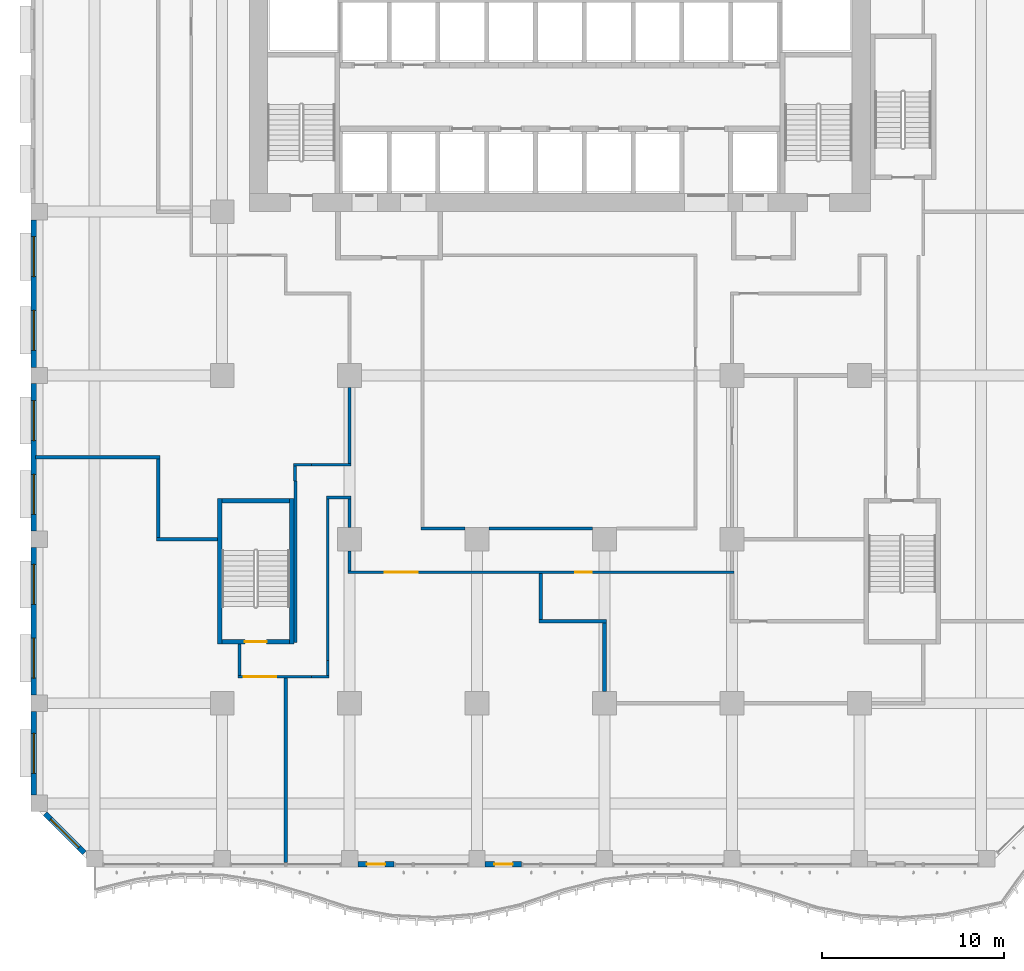
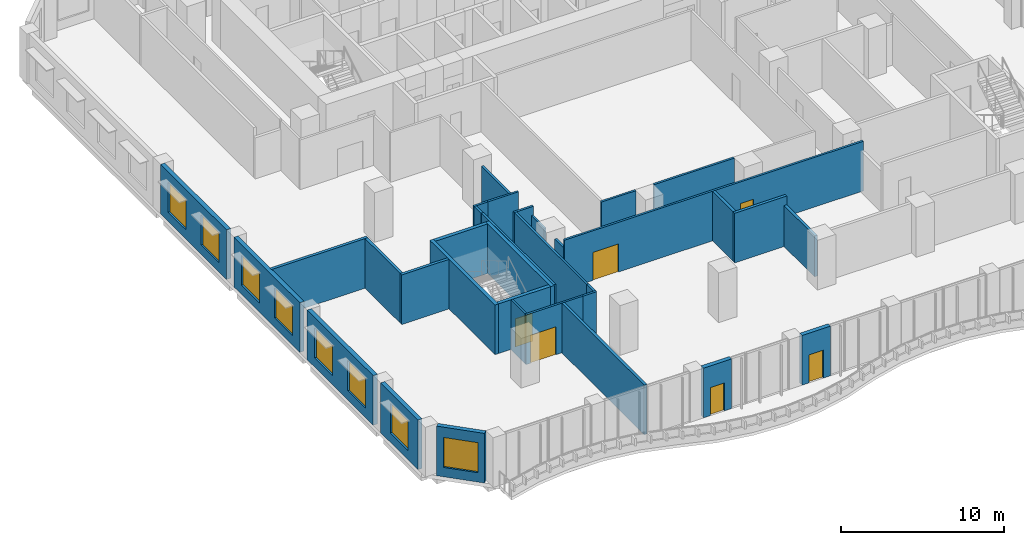
# One storey, part 10 of 24: 34 walls, 8 windows, 6 doors, 14 openings.
"""IFC4 building model written with IfcOpenShell, lengths in metres."""

from ifc_helpers import new_model, si_unit, direction, frame, frame_2d, origin, place, context, subcontext, project, spatial, rectangle, extrude, source, transform, mapped, material, layer, layer_set, type_object, element, fill, save


model = new_model("IFC4")

# Units and contexts
model_context = context("Model", 3, precision=1e-05, world=origin(), true_north=direction((0.0, 1.0)))
body_context = subcontext(model_context, "Body", "Model", "MODEL_VIEW")
ifc_project = project(units=[si_unit("LENGTHUNIT", "METRE"), si_unit("AREAUNIT", "SQUARE_METRE"), si_unit("VOLUMEUNIT", "CUBIC_METRE"), si_unit("PLANEANGLEUNIT", "RADIAN"), si_unit("MASSUNIT", "GRAM", prefix="KILO")], contexts=[model_context])

# Site, building, storey
site_placement = place(None, origin())
site = spatial("IfcSite", under=ifc_project, at=site_placement, CompositionType="ELEMENT")
building_placement = place(site_placement, origin())
building = spatial("IfcBuilding", under=site, at=building_placement, Name="Kilnfold Tower and Market Hall", CompositionType="ELEMENT")
storey_placement = place(building_placement, frame((0.0, 0.0, 35.0)))
storey = spatial("IfcBuildingStorey", under=building, at=storey_placement, Name="L07", CompositionType="ELEMENT", Elevation=35.0)

# Walls
ifc_material_1 = material(Name="Gypsum board on steel studs", Category="steel")
ifc_layer_1 = layer(ifc_material_1, 0.14990234375)
ifc_layer_set_1 = layer_set([ifc_layer_1], Name="Gypsum board on steel studs")
wall_type_1 = type_object("IfcWallType", Name="WALL CORRIDOR 150", PredefinedType="PARTITIONING", material=ifc_layer_set_1)
wall_1_placement = place(storey_placement, frame((-12.597900390625, -5.89794921875, 0.0), z_axis=(0.0, 0.0, 1.0), x_axis=(-1.0, 0.0, 0.0)))
element("IfcWall", 1, at=wall_1_placement, inside=storey, type_object=wall_type_1, Name="Partition LY07.1", PredefinedType="PARTITIONING", context=body_context, shape_type="SweptSolid", body=[
    extrude(rectangle(XDim=0.97900390625, YDim=0.14990234375, at=frame_2d((0.489501953125, 0.0))), origin(), (0.0, 0.0, 1.0), 3.719970703125),
])
wall_2_placement = place(storey_placement, frame((-10.425048828125, -5.89990234375, 0.0), z_axis=(0.0, 0.0, 1.0), x_axis=(-1.0, 0.0, 0.0)))
element("IfcWall", 2, at=wall_2_placement, inside=storey, type_object=wall_type_1, Name="Partition LY07.2", PredefinedType="PARTITIONING", context=body_context, shape_type="SweptSolid", body=[
    extrude(rectangle(XDim=2.1728515625, YDim=0.14990234375, at=frame_2d((1.08642578125, 0.0))), origin(), (0.0, 0.0, 1.0), 3.719970703125),
])
wall_3_placement = place(storey_placement, frame((-10.5, -5.824951171875, 0.0), z_axis=(0.0, 0.0, 1.0), x_axis=(0.0, 1.0, 0.0)))
element("IfcWall", 3, at=wall_3_placement, inside=storey, type_object=wall_type_1, Name="Partition LY07.3", PredefinedType="PARTITIONING", context=body_context, shape_type="SweptSolid", body=[
    extrude(rectangle(XDim=4.175048828125, YDim=0.14990234375, at=frame_2d((2.08740234375, 0.0))), origin(), (0.0, 0.0, 1.0), 3.070068359375),
])
wall_4_placement = place(storey_placement, frame((-13.469970703125, -6.802001953125, 0.0), z_axis=(0.0, 0.0, 1.0), x_axis=(0.0, -1.0, 0.0)))
element("IfcWall", 4, at=wall_4_placement, inside=storey, type_object=wall_type_1, Name="Partition LY07.9", PredefinedType="PARTITIONING", context=body_context, shape_type="SweptSolid", body=[
    extrude(rectangle(XDim=8.873046875, YDim=0.14990234375, at=frame_2d((4.4365234375, 0.0))), origin(), (0.0, 0.0, 1.0), 3.719970703125),
])
wall_5_placement = place(storey_placement, frame((-13.501953125, -5.972900390625, 0.0), z_axis=(0.0, 0.0, 1.0), x_axis=(0.0, -1.0, 0.0)))
element("IfcWall", 5, at=wall_5_placement, inside=storey, type_object=wall_type_1, Name="Partition LY07.10", PredefinedType="PARTITIONING", context=body_context, shape_type="SweptSolid", body=[
    extrude(rectangle(XDim=0.8291015625, YDim=0.14990234375, at=frame_2d((0.41455078125, 0.0))), origin(), (0.0, 0.0, 1.0), 3.719970703125),
])

# Wall, openings, doors
wall_6_placement = place(storey_placement, frame((-10.574951171875, -11.800048828125, 0.0), z_axis=(0.0, 0.0, 1.0), x_axis=(1.0, 0.0, 0.0)))
wall_6 = element("IfcWall", 6, at=wall_6_placement, inside=storey, type_object=wall_type_1, Name="Partition LY07.11", PredefinedType="PARTITIONING", context=body_context, shape_type="SweptSolid", body=[
    extrude(rectangle(XDim=21.175048828125, YDim=0.14990234375, at=frame_2d((10.58740234375, 0.0))), origin(), (0.0, 0.0, 1.0), 3.719970703125),
])
opening_1_placement = place(wall_6_placement, frame((2.01806640625, 0.0, 0.0)))
opening_1 = element("IfcOpeningElement", 7, at=opening_1_placement, cuts=wall_6, Name="Opening D5", PredefinedType="OPENING", context=body_context, shape_type="SweptSolid", body=[
    extrude(rectangle(XDim=1.800048828125, YDim=2.10009765625, at=frame_2d((0.89990234375, 1.050048828125))), frame((0.0, 0.0849609375, 0.0), z_axis=(0.0, -1.0, 0.0), x_axis=(1.0, 0.0, 0.0)), (0.0, 0.0, 1.0), 0.169921875),
])
opening_2_placement = place(wall_6_placement, frame((12.467041015625, 0.0, 0.0)))
opening_2 = element("IfcOpeningElement", 8, at=opening_2_placement, cuts=wall_6, Name="Opening D2", PredefinedType="OPENING", context=body_context, shape_type="SweptSolid", body=[
    extrude(rectangle(XDim=0.89990234375, YDim=2.10009765625, at=frame_2d((0.449951171875, 1.050048828125))), frame((0.0, 0.0849609375, 0.0), z_axis=(0.0, -1.0, 0.0), x_axis=(1.0, 0.0, 0.0)), (0.0, 0.0, 1.0), 0.169921875),
])
ifc_material_2 = material(Name="Timber veneer door leaf in steel frame", Category="steel")
door_type_1 = type_object("IfcDoorType", Name="DOOR DOUBLE 1800 X2100", OperationType="NOTDEFINED", PredefinedType="DOOR", material=ifc_material_2)
door_1_placement = place(opening_1_placement, origin())
door_1 = element("IfcDoor", 9, at=door_1_placement, inside=storey, type_object=door_type_1, Name="Door D5", OperationType="DOUBLE_DOOR_SINGLE_SWING", OverallHeight=2.10009765625, OverallWidth=1.800048828125, PredefinedType="DOOR", context=body_context, shape_type="SweptSolid", body=[
    extrude(rectangle(XDim=1.800048828125, YDim=2.10009765625, at=frame_2d((0.89990234375, 1.050048828125))), frame((0.0, 0.02490234375, 0.0), z_axis=(0.0, -1.0, 0.0), x_axis=(1.0, 0.0, 0.0)), (0.0, 0.0, 1.0), 0.050048828125),
])
fill(opening_1, door_1)
ifc_material_3 = material(Name="Timber veneer door leaf in steel frame", Category="steel")
door_type_2 = type_object("IfcDoorType", Name="DOOR ROOM 900 X2100", OperationType="NOTDEFINED", PredefinedType="DOOR", material=ifc_material_3)
door_2_placement = place(opening_2_placement, origin())
door_2 = element("IfcDoor", 10, at=door_2_placement, inside=storey, type_object=door_type_2, Name="Door D2", OperationType="SINGLE_SWING_RIGHT", OverallHeight=2.10009765625, OverallWidth=0.89990234375, PredefinedType="DOOR", context=body_context, shape_type="SweptSolid", body=[
    extrude(rectangle(XDim=0.89990234375, YDim=2.10009765625, at=frame_2d((0.449951171875, 1.050048828125))), frame((0.0, 0.02490234375, 0.0), z_axis=(0.0, -1.0, 0.0), x_axis=(1.0, 0.0, 0.0)), (0.0, 0.0, 1.0), 0.050048828125),
])
fill(opening_2, door_2)

# Walls
wall_7_placement = place(storey_placement, frame((-10.5, -11.72509765625, 0.0), z_axis=(0.0, 0.0, 1.0), x_axis=(0.0, 1.0, 0.0)))
element("IfcWall", 11, at=wall_7_placement, inside=storey, type_object=wall_type_1, Name="Partition LY07.12", PredefinedType="PARTITIONING", context=body_context, shape_type="SweptSolid", body=[
    extrude(rectangle(XDim=1.0751953125, YDim=0.14990234375, at=frame_2d((0.53759765625, 0.0))), origin(), (0.0, 0.0, 1.0), 3.070068359375),
])
wall_8_placement = place(storey_placement, frame((-10.5, -9.35009765625, 0.0), z_axis=(0.0, 0.0, 1.0), x_axis=(0.0, 1.0, 0.0)))
element("IfcWall", 12, at=wall_8_placement, inside=storey, type_object=wall_type_1, Name="Partition LY07.13", PredefinedType="PARTITIONING", context=body_context, shape_type="SweptSolid", body=[
    extrude(rectangle(XDim=1.5751953125, YDim=0.14990234375, at=frame_2d((0.78759765625, 0.0))), origin(), (0.0, 0.0, 1.0), 3.070068359375),
])
wall_9_placement = place(storey_placement, frame((-11.77490234375, -7.699951171875, 0.0), z_axis=(0.0, 0.0, 1.0), x_axis=(1.0, 0.0, 0.0)))
element("IfcWall", 13, at=wall_9_placement, inside=storey, type_object=wall_type_1, Name="Partition LY07.14", PredefinedType="PARTITIONING", context=body_context, shape_type="SweptSolid", body=[
    extrude(rectangle(XDim=1.349853515625, YDim=0.14990234375, at=frame_2d((0.6748046875, 0.0))), origin(), (0.0, 0.0, 1.0), 3.719970703125),
])
wall_10_placement = place(storey_placement, frame((-11.699951171875, -16.64794921875, 0.0), z_axis=(0.0, 0.0, 1.0), x_axis=(0.0, 1.0, 0.0)))
element("IfcWall", 14, at=wall_10_placement, inside=storey, type_object=wall_type_1, Name="Partition LY07.15", PredefinedType="PARTITIONING", context=body_context, shape_type="SweptSolid", body=[
    extrude(rectangle(XDim=8.873046875, YDim=0.14990234375, at=frame_2d((4.4365234375, 0.0))), origin(), (0.0, 0.0, 1.0), 3.719970703125),
])
wall_11_placement = place(storey_placement, frame((-11.697998046875, -17.47705078125, 0.0), z_axis=(0.0, 0.0, 1.0), x_axis=(0.0, 1.0, 0.0)))
element("IfcWall", 15, at=wall_11_placement, inside=storey, type_object=wall_type_1, Name="Partition LY07.16", PredefinedType="PARTITIONING", context=body_context, shape_type="SweptSolid", body=[
    extrude(rectangle(XDim=0.8291015625, YDim=0.14990234375, at=frame_2d((0.41455078125, 0.0))), origin(), (0.0, 0.0, 1.0), 3.719970703125),
])
wall_12_placement = place(storey_placement, frame((-12.60205078125, -17.552001953125, 0.0), z_axis=(0.0, 0.0, 1.0), x_axis=(1.0, 0.0, 0.0)))
element("IfcWall", 16, at=wall_12_placement, inside=storey, type_object=wall_type_1, Name="Partition LY07.17", PredefinedType="PARTITIONING", context=body_context, shape_type="SweptSolid", body=[
    extrude(rectangle(XDim=0.97900390625, YDim=0.14990234375, at=frame_2d((0.489501953125, 0.0))), origin(), (0.0, 0.0, 1.0), 3.719970703125),
])

# Wall, opening, door
wall_13_placement = place(storey_placement, frame((-16.625, -17.550048828125, 0.0), z_axis=(0.0, 0.0, 1.0), x_axis=(1.0, 0.0, 0.0)))
wall_13 = element("IfcWall", 17, at=wall_13_placement, inside=storey, type_object=wall_type_1, Name="Partition LY07.18", PredefinedType="PARTITIONING", context=body_context, shape_type="SweptSolid", body=[
    extrude(rectangle(XDim=4.02294921875, YDim=0.14990234375, at=frame_2d((2.011474609375, 0.0))), origin(), (0.0, 0.0, 1.0), 3.719970703125),
])
opening_3_placement = place(wall_13_placement, frame((0.30908203125, 0.0, 0.0)))
opening_3 = element("IfcOpeningElement", 18, at=opening_3_placement, cuts=wall_13, Name="Opening D5", PredefinedType="OPENING", context=body_context, shape_type="SweptSolid", body=[
    extrude(rectangle(XDim=1.800048828125, YDim=2.10009765625, at=frame_2d((0.89990234375, 1.050048828125))), frame((0.0, 0.0849609375, 0.0), z_axis=(0.0, -1.0, 0.0), x_axis=(1.0, 0.0, 0.0)), (0.0, 0.0, 1.0), 0.169921875),
])
door_3_placement = place(opening_3_placement, origin())
door_3 = element("IfcDoor", 19, at=door_3_placement, inside=storey, type_object=door_type_1, Name="Door D5", OperationType="DOUBLE_DOOR_SINGLE_SWING", OverallHeight=2.10009765625, OverallWidth=1.800048828125, PredefinedType="DOOR", context=body_context, shape_type="SweptSolid", body=[
    extrude(rectangle(XDim=1.800048828125, YDim=2.10009765625, at=frame_2d((0.89990234375, 1.050048828125))), frame((0.0, 0.02490234375, 0.0), z_axis=(0.0, -1.0, 0.0), x_axis=(1.0, 0.0, 0.0)), (0.0, 0.0, 1.0), 0.050048828125),
])
fill(opening_3, door_3)

# Walls
wall_14_placement = place(storey_placement, frame((-16.550048828125, -15.75, 0.0), z_axis=(0.0, 0.0, 1.0), x_axis=(0.0, -1.0, 0.0)))
element("IfcWall", 20, at=wall_14_placement, inside=storey, type_object=wall_type_1, Name="Partition LY07.19", PredefinedType="PARTITIONING", context=body_context, shape_type="SweptSolid", body=[
    extrude(rectangle(XDim=1.72509765625, YDim=0.14990234375, at=frame_2d((0.862548828125, 0.0))), origin(), (0.0, 0.0, 1.0), 3.719970703125),
])
wall_15_placement = place(storey_placement, frame((-6.574951171875, -9.39990234375, 0.0), z_axis=(0.0, 0.0, 1.0), x_axis=(1.0, 0.0, 0.0)))
element("IfcWall", 21, at=wall_15_placement, inside=storey, type_object=wall_type_1, Name="Partition LY07.36", PredefinedType="PARTITIONING", context=body_context, shape_type="SweptSolid", body=[
    extrude(rectangle(XDim=2.425048828125, YDim=0.14990234375, at=frame_2d((1.21240234375, 0.0))), origin(), (0.0, 0.0, 1.0), 3.719970703125),
])
wall_16_placement = place(storey_placement, frame((-2.85009765625, -9.39990234375, 0.0), z_axis=(0.0, 0.0, 1.0), x_axis=(1.0, 0.0, 0.0)))
element("IfcWall", 22, at=wall_16_placement, inside=storey, type_object=wall_type_1, Name="Partition LY07.37", PredefinedType="PARTITIONING", context=body_context, shape_type="SweptSolid", body=[
    extrude(rectangle(XDim=5.7001953125, YDim=0.14990234375, at=frame_2d((2.85009765625, 0.0))), origin(), (0.0, 0.0, 1.0), 3.719970703125),
])
ifc_material_4 = material(Name="Gypsum board on steel studs", Category="steel")
ifc_layer_2 = layer(ifc_material_4, 0.199951171875)
ifc_layer_set_2 = layer_set([ifc_layer_2], Name="Gypsum board on steel studs")
wall_type_2 = type_object("IfcWallType", Name="WALL PARTY 200", PredefinedType="PARTITIONING", material=ifc_layer_set_2)
wall_17_placement = place(storey_placement, frame((-21.10009765625, -10.0, 0.0), z_axis=(0.0, 0.0, 1.0), x_axis=(1.0, 0.0, 0.0)))
element("IfcWall", 23, at=wall_17_placement, inside=storey, type_object=wall_type_2, Name="Partition LY07.41", PredefinedType="PARTITIONING", context=body_context, shape_type="SweptSolid", body=[
    extrude(rectangle(XDim=3.35009765625, YDim=0.199951171875, at=frame_2d((1.675048828125, 0.0))), origin(), (0.0, 0.0, 1.0), 3.719970703125),
])
wall_18_placement = place(storey_placement, frame((-21.0, -9.89990234375, 0.0), z_axis=(0.0, 0.0, 1.0), x_axis=(0.0, 1.0, 0.0)))
element("IfcWall", 24, at=wall_18_placement, inside=storey, type_object=wall_type_2, Name="Partition LY07.42", PredefinedType="PARTITIONING", context=body_context, shape_type="SweptSolid", body=[
    extrude(rectangle(XDim=4.2998046875, YDim=0.199951171875, at=frame_2d((2.14990234375, 0.0))), origin(), (0.0, 0.0, 1.0), 3.719970703125),
])
wall_19_placement = place(storey_placement, frame((-27.75, -5.5, 0.0), z_axis=(0.0, 0.0, 1.0), x_axis=(1.0, 0.0, 0.0)))
element("IfcWall", 25, at=wall_19_placement, inside=storey, type_object=wall_type_2, Name="Partition LY07.43", PredefinedType="PARTITIONING", context=body_context, shape_type="SweptSolid", body=[
    extrude(rectangle(XDim=6.85009765625, YDim=0.199951171875, at=frame_2d((3.425048828125, 0.0))), origin(), (0.0, 0.0, 1.0), 3.719970703125),
])
wall_20_placement = place(storey_placement, frame((-14.0, -27.75, 0.0), z_axis=(0.0, 0.0, 1.0), x_axis=(0.0, 1.0, 0.0)))
element("IfcWall", 26, at=wall_20_placement, inside=storey, type_object=wall_type_2, Name="Partition LY07.47", PredefinedType="PARTITIONING", context=body_context, shape_type="SweptSolid", body=[
    extrude(rectangle(XDim=10.1240234375, YDim=0.199951171875, at=frame_2d((5.06201171875, 0.0))), origin(), (0.0, 0.0, 1.0), 3.719970703125),
])
wall_21_placement = place(storey_placement, frame((0.0, -14.39990234375, 0.0), z_axis=(0.0, 0.0, 1.0), x_axis=(0.0, 1.0, 0.0)))
element("IfcWall", 27, at=wall_21_placement, inside=storey, type_object=wall_type_2, Name="Partition LY07.48", PredefinedType="PARTITIONING", context=body_context, shape_type="SweptSolid", body=[
    extrude(rectangle(XDim=2.52392578125, YDim=0.199951171875, at=frame_2d((1.261962890625, 0.0))), origin(), (0.0, 0.0, 1.0), 3.719970703125),
])
wall_22_placement = place(storey_placement, frame((-0.10009765625, -14.5, 0.0), z_axis=(0.0, 0.0, 1.0), x_axis=(1.0, 0.0, 0.0)))
element("IfcWall", 28, at=wall_22_placement, inside=storey, type_object=wall_type_2, Name="Partition LY07.49", PredefinedType="PARTITIONING", context=body_context, shape_type="SweptSolid", body=[
    extrude(rectangle(XDim=3.7001953125, YDim=0.199951171875, at=frame_2d((1.85009765625, 0.0))), origin(), (0.0, 0.0, 1.0), 3.719970703125),
])
wall_23_placement = place(storey_placement, frame((3.5, -18.35009765625, 0.0), z_axis=(0.0, 0.0, 1.0), x_axis=(0.0, 1.0, 0.0)))
element("IfcWall", 29, at=wall_23_placement, inside=storey, type_object=wall_type_2, Name="Partition LY07.50", PredefinedType="PARTITIONING", context=body_context, shape_type="SweptSolid", body=[
    extrude(rectangle(XDim=3.75, YDim=0.199951171875, at=frame_2d((1.875, 0.0))), origin(), (0.0, 0.0, 1.0), 3.070068359375),
])

# Wall, opening, door
ifc_material_5 = material(Name="Concrete C80", Category="concrete")
ifc_layer_3 = layer(ifc_material_5, 0.25)
ifc_layer_set_3 = layer_set([ifc_layer_3], Name="Concrete C80")
wall_type_3 = type_object("IfcWallType", Name="CORE WALL 250 C80", PredefinedType="SHEAR", material=ifc_layer_set_3)
shared_shape_1 = source(origin(), body_context, "Body", "SweptSolid", [
    extrude(rectangle(XDim=3.699951171875, YDim=0.25, at=frame_2d((1.85009765625, 0.0))), origin(), (0.0, 0.0, 1.0), 3.719970703125),
])
wall_24_placement = place(storey_placement, frame((-17.5, -15.625, 0.0), z_axis=(0.0, 0.0, 1.0), x_axis=(1.0, 0.0, 0.0)))
wall_24 = element("IfcWall", 30, at=wall_24_placement, inside=storey, type_object=wall_type_3, Name="Stair enclosure ST3", PredefinedType="SHEAR", context=body_context, shape_type="MappedRepresentation", body=[
    mapped(shared_shape_1, transform((0.0, 0.0, 0.0))),
])
opening_4_placement = place(wall_24_placement, frame((1.25, 0.0, 0.0)))
opening_4 = element("IfcOpeningElement", 31, at=opening_4_placement, cuts=wall_24, Name="Opening SD1", PredefinedType="OPENING", context=body_context, shape_type="SweptSolid", body=[
    extrude(rectangle(XDim=1.199951171875, YDim=2.10009765625, at=frame_2d((0.60009765625, 1.050048828125))), frame((0.0, 0.135009765625, 0.0), z_axis=(0.0, -1.0, 0.0), x_axis=(1.0, 0.0, 0.0)), (0.0, 0.0, 1.0), 0.27001953125),
])
ifc_material_6 = material(Name="Steel door set with fire-resisting leaf", Category="steel")
door_type_3 = type_object("IfcDoorType", Name="STAIR FLOOR DOOR 1200X2100", OperationType="NOTDEFINED", PredefinedType="DOOR", material=ifc_material_6)
door_4_placement = place(opening_4_placement, origin())
door_4 = element("IfcDoor", 32, at=door_4_placement, inside=storey, type_object=door_type_3, Name="Exit stair ST3 door", OperationType="DOUBLE_DOOR_SINGLE_SWING", OverallHeight=2.10009765625, OverallWidth=1.199951171875, PredefinedType="DOOR", context=body_context, shape_type="SweptSolid", body=[
    extrude(rectangle(XDim=1.199951171875, YDim=2.10009765625, at=frame_2d((0.60009765625, 1.050048828125))), frame((0.0, 0.02490234375, 0.0), z_axis=(0.0, -1.0, 0.0), x_axis=(1.0, 0.0, 0.0)), (0.0, 0.0, 1.0), 0.050048828125),
])
fill(opening_4, door_4)

# Walls
wall_25_placement = place(storey_placement, frame((-17.5, -7.875, 0.0), z_axis=(0.0, 0.0, 1.0), x_axis=(1.0, 0.0, 0.0)))
element("IfcWall", 33, at=wall_25_placement, inside=storey, type_object=wall_type_3, Name="Stair enclosure ST3", PredefinedType="SHEAR", context=body_context, shape_type="MappedRepresentation", body=[
    mapped(shared_shape_1, transform((0.0, 0.0, 0.0))),
])
shared_shape_2 = source(origin(), body_context, "Body", "SweptSolid", [
    extrude(rectangle(XDim=8.0, YDim=0.25, at=frame_2d((4.0, 0.0))), origin(), (0.0, 0.0, 1.0), 3.719970703125),
])
for number, where, z_axis, x_axis, name in (
    (34, (-17.625, -15.75, 0.0), (0.0, 0.0, 1.0), (0.0, 1.0, 0.0), "Stair enclosure ST3"),
    (35, (-13.675048828125, -15.75, 0.0), (0.0, 0.0, 1.0), (0.0, 1.0, 0.0), "Stair enclosure ST3"),
):
    element("IfcWall", number, at=place(storey_placement, frame(where, z_axis=z_axis, x_axis=x_axis)), inside=storey, type_object=wall_type_3, Name=name, PredefinedType="SHEAR", context=body_context, shape_type="MappedRepresentation", body=[
        mapped(shared_shape_2, transform((0.0, 0.0, 0.0))),
    ])

# Wall, opening, door
ifc_material_7 = material(Name="Precast concrete C50/60", Category="concrete")
ifc_layer_4 = layer(ifc_material_7, 0.300048828125)
ifc_layer_set_4 = layer_set([ifc_layer_4], Name="Precast concrete C50/60")
wall_type_4 = type_object("IfcWallType", Name="PRECAST WALL 300", PredefinedType="SOLIDWALL", material=ifc_layer_set_4)
shared_shape_3 = source(origin(), body_context, "Body", "SweptSolid", [
    extrude(rectangle(XDim=2.0, YDim=0.300048828125, at=frame_2d((1.0, 0.0))), origin(), (0.0, 0.0, 1.0), 3.719970703125),
])
wall_26_placement = place(storey_placement, frame((-10.050048828125, -27.85009765625, 0.0), z_axis=(0.0, 0.0, 1.0), x_axis=(1.0, 0.0, 0.0)))
wall_26 = element("IfcWall", 36, at=wall_26_placement, inside=storey, type_object=wall_type_4, Name="External wall L07 S", PredefinedType="SOLIDWALL", context=body_context, shape_type="MappedRepresentation", body=[
    mapped(shared_shape_3, transform((0.0, 0.0, 0.0))),
])
opening_5_placement = place(wall_26_placement, frame((0.5, 0.0, 0.0)))
opening_5 = element("IfcOpeningElement", 37, at=opening_5_placement, cuts=wall_26, Name="Opening BD1", PredefinedType="OPENING", context=body_context, shape_type="SweptSolid", body=[
    extrude(rectangle(XDim=1.0, YDim=2.10009765625, at=frame_2d((0.5, 1.050048828125))), frame((0.0, 0.16015625, 0.0), z_axis=(0.0, -1.0, 0.0), x_axis=(1.0, 0.0, 0.0)), (0.0, 0.0, 1.0), 0.320068359375),
])
ifc_material_8 = material(Name="Aluminium frame and double glazing", Category="aluminium")
door_type_4 = type_object("IfcDoorType", Name="BALCONY DOOR 1000X2100", OperationType="NOTDEFINED", PredefinedType="DOOR", material=ifc_material_8)
door_5_placement = place(opening_5_placement, origin())
door_5 = element("IfcDoor", 38, at=door_5_placement, inside=storey, type_object=door_type_4, Name="Balcony door BD1 L07 S-1", OperationType="SINGLE_SWING_LEFT", OverallHeight=2.10009765625, OverallWidth=1.0, PredefinedType="DOOR", context=body_context, shape_type="SweptSolid", body=[
    extrude(rectangle(XDim=1.0, YDim=2.10009765625, at=frame_2d((0.5, 1.050048828125))), frame((0.0, 0.02490234375, 0.0), z_axis=(0.0, -1.0, 0.0), x_axis=(1.0, 0.0, 0.0)), (0.0, 0.0, 1.0), 0.050048828125),
])
fill(opening_5, door_5)

wall_27_placement = place(storey_placement, frame((-3.050048828125, -27.85009765625, 0.0), z_axis=(0.0, 0.0, 1.0), x_axis=(1.0, 0.0, 0.0)))
wall_27 = element("IfcWall", 39, at=wall_27_placement, inside=storey, type_object=wall_type_4, Name="External wall L07 S", PredefinedType="SOLIDWALL", context=body_context, shape_type="MappedRepresentation", body=[
    mapped(shared_shape_3, transform((0.0, 0.0, 0.0))),
])
opening_6_placement = place(wall_27_placement, frame((0.5, 0.0, 0.0)))
opening_6 = element("IfcOpeningElement", 40, at=opening_6_placement, cuts=wall_27, Name="Opening BD1", PredefinedType="OPENING", context=body_context, shape_type="SweptSolid", body=[
    extrude(rectangle(XDim=1.0, YDim=2.10009765625, at=frame_2d((0.5, 1.050048828125))), frame((0.0, 0.16015625, 0.0), z_axis=(0.0, -1.0, 0.0), x_axis=(1.0, 0.0, 0.0)), (0.0, 0.0, 1.0), 0.320068359375),
])
door_6_placement = place(opening_6_placement, origin())
door_6 = element("IfcDoor", 41, at=door_6_placement, inside=storey, type_object=door_type_4, Name="Balcony door BD1 L07 S-1", OperationType="SINGLE_SWING_LEFT", OverallHeight=2.10009765625, OverallWidth=1.0, PredefinedType="DOOR", context=body_context, shape_type="SweptSolid", body=[
    extrude(rectangle(XDim=1.0, YDim=2.10009765625, at=frame_2d((0.5, 1.050048828125))), frame((0.0, 0.02490234375, 0.0), z_axis=(0.0, -1.0, 0.0), x_axis=(1.0, 0.0, 0.0)), (0.0, 0.0, 1.0), 0.050048828125),
])
fill(opening_6, door_6)

# Wall, openings, windows
shared_shape_4 = source(origin(), body_context, "Body", "SweptSolid", [
    extrude(rectangle(XDim=8.10009765625, YDim=0.300048828125, at=frame_2d((4.050048828125, 0.0))), origin(), (0.0, 0.0, 1.0), 3.719970703125),
])
wall_28_placement = place(storey_placement, frame((-27.85009765625, 7.550048828125, 0.0), z_axis=(0.0, 0.0, 1.0), x_axis=(0.0, -1.0, 0.0)))
wall_28 = element("IfcWall", 42, at=wall_28_placement, inside=storey, type_object=wall_type_4, Name="External wall L07 W", PredefinedType="SOLIDWALL", context=body_context, shape_type="MappedRepresentation", body=[
    mapped(shared_shape_4, transform((0.0, 0.0, 0.0))),
])
opening_7_placement = place(wall_28_placement, frame((0.925048828125, 0.0, 0.699951171875)))
opening_7 = element("IfcOpeningElement", 43, at=opening_7_placement, cuts=wall_28, Name="Opening W1", PredefinedType="OPENING", context=body_context, shape_type="SweptSolid", body=[
    extrude(rectangle(XDim=2.199951171875, YDim=2.25, at=frame_2d((1.10009765625, 1.125))), frame((0.0, 0.16015625, 0.0), z_axis=(0.0, -1.0, 0.0), x_axis=(1.0, 0.0, 0.0)), (0.0, 0.0, 1.0), 0.320068359375),
])
opening_8_placement = place(wall_28_placement, frame((4.97509765625, 0.0, 0.699951171875)))
opening_8 = element("IfcOpeningElement", 44, at=opening_8_placement, cuts=wall_28, Name="Opening W1", PredefinedType="OPENING", context=body_context, shape_type="SweptSolid", body=[
    extrude(rectangle(XDim=2.199951171875, YDim=2.25, at=frame_2d((1.10009765625, 1.125))), frame((0.0, 0.16015625, 0.0), z_axis=(0.0, -1.0, 0.0), x_axis=(1.0, 0.0, 0.0)), (0.0, 0.0, 1.0), 0.320068359375),
])
ifc_material_9 = material(Name="Aluminium frame and double glazing", Category="aluminium")
window_type = type_object("IfcWindowType", Name="WINDOW W1 2200X2250", PartitioningType="SINGLE_PANEL", PredefinedType="WINDOW", material=ifc_material_9)
window_1_placement = place(opening_7_placement, origin())
window_1 = element("IfcWindow", 45, at=window_1_placement, inside=storey, type_object=window_type, Name="Window W1 L07 W-1", OverallHeight=2.25, OverallWidth=2.199951171875, PartitioningType="SINGLE_PANEL", PredefinedType="WINDOW", context=body_context, shape_type="SweptSolid", body=[
    extrude(rectangle(XDim=2.199951171875, YDim=2.25, at=frame_2d((1.10009765625, 1.125))), frame((0.0, 0.030029296875, 0.0), z_axis=(0.0, -1.0, 0.0), x_axis=(1.0, 0.0, 0.0)), (0.0, 0.0, 1.0), 0.06005859375),
])
fill(opening_7, window_1)
window_2_placement = place(opening_8_placement, origin())
window_2 = element("IfcWindow", 46, at=window_2_placement, inside=storey, type_object=window_type, Name="Window W1 L07 W-2", OverallHeight=2.25, OverallWidth=2.199951171875, PartitioningType="SINGLE_PANEL", PredefinedType="WINDOW", context=body_context, shape_type="SweptSolid", body=[
    extrude(rectangle(XDim=2.199951171875, YDim=2.25, at=frame_2d((1.10009765625, 1.125))), frame((0.0, 0.030029296875, 0.0), z_axis=(0.0, -1.0, 0.0), x_axis=(1.0, 0.0, 0.0)), (0.0, 0.0, 1.0), 0.06005859375),
])
fill(opening_8, window_2)

wall_29_placement = place(storey_placement, frame((-27.85009765625, -1.449951171875, 0.0), z_axis=(0.0, 0.0, 1.0), x_axis=(0.0, -1.0, 0.0)))
wall_29 = element("IfcWall", 47, at=wall_29_placement, inside=storey, type_object=wall_type_4, Name="External wall L07 W", PredefinedType="SOLIDWALL", context=body_context, shape_type="MappedRepresentation", body=[
    mapped(shared_shape_4, transform((0.0, 0.0, 0.0))),
])
opening_9_placement = place(wall_29_placement, frame((0.925048828125, 0.0, 0.699951171875)))
opening_9 = element("IfcOpeningElement", 48, at=opening_9_placement, cuts=wall_29, Name="Opening W1", PredefinedType="OPENING", context=body_context, shape_type="SweptSolid", body=[
    extrude(rectangle(XDim=2.199951171875, YDim=2.25, at=frame_2d((1.10009765625, 1.125))), frame((0.0, 0.16015625, 0.0), z_axis=(0.0, -1.0, 0.0), x_axis=(1.0, 0.0, 0.0)), (0.0, 0.0, 1.0), 0.320068359375),
])
opening_10_placement = place(wall_29_placement, frame((4.97509765625, 0.0, 0.699951171875)))
opening_10 = element("IfcOpeningElement", 49, at=opening_10_placement, cuts=wall_29, Name="Opening W1", PredefinedType="OPENING", context=body_context, shape_type="SweptSolid", body=[
    extrude(rectangle(XDim=2.199951171875, YDim=2.25, at=frame_2d((1.10009765625, 1.125))), frame((0.0, 0.16015625, 0.0), z_axis=(0.0, -1.0, 0.0), x_axis=(1.0, 0.0, 0.0)), (0.0, 0.0, 1.0), 0.320068359375),
])
window_3_placement = place(opening_9_placement, origin())
window_3 = element("IfcWindow", 50, at=window_3_placement, inside=storey, type_object=window_type, Name="Window W1 L07 W-1", OverallHeight=2.25, OverallWidth=2.199951171875, PartitioningType="SINGLE_PANEL", PredefinedType="WINDOW", context=body_context, shape_type="SweptSolid", body=[
    extrude(rectangle(XDim=2.199951171875, YDim=2.25, at=frame_2d((1.10009765625, 1.125))), frame((0.0, 0.030029296875, 0.0), z_axis=(0.0, -1.0, 0.0), x_axis=(1.0, 0.0, 0.0)), (0.0, 0.0, 1.0), 0.06005859375),
])
fill(opening_9, window_3)
window_4_placement = place(opening_10_placement, origin())
window_4 = element("IfcWindow", 51, at=window_4_placement, inside=storey, type_object=window_type, Name="Window W1 L07 W-2", OverallHeight=2.25, OverallWidth=2.199951171875, PartitioningType="SINGLE_PANEL", PredefinedType="WINDOW", context=body_context, shape_type="SweptSolid", body=[
    extrude(rectangle(XDim=2.199951171875, YDim=2.25, at=frame_2d((1.10009765625, 1.125))), frame((0.0, 0.030029296875, 0.0), z_axis=(0.0, -1.0, 0.0), x_axis=(1.0, 0.0, 0.0)), (0.0, 0.0, 1.0), 0.06005859375),
])
fill(opening_10, window_4)

wall_30_placement = place(storey_placement, frame((-27.85009765625, -10.449951171875, 0.0), z_axis=(0.0, 0.0, 1.0), x_axis=(0.0, -1.0, 0.0)))
wall_30 = element("IfcWall", 52, at=wall_30_placement, inside=storey, type_object=wall_type_4, Name="External wall L07 W", PredefinedType="SOLIDWALL", context=body_context, shape_type="MappedRepresentation", body=[
    mapped(shared_shape_4, transform((0.0, 0.0, 0.0))),
])
opening_11_placement = place(wall_30_placement, frame((0.925048828125, 0.0, 0.699951171875)))
opening_11 = element("IfcOpeningElement", 53, at=opening_11_placement, cuts=wall_30, Name="Opening W1", PredefinedType="OPENING", context=body_context, shape_type="SweptSolid", body=[
    extrude(rectangle(XDim=2.199951171875, YDim=2.25, at=frame_2d((1.10009765625, 1.125))), frame((0.0, 0.16015625, 0.0), z_axis=(0.0, -1.0, 0.0), x_axis=(1.0, 0.0, 0.0)), (0.0, 0.0, 1.0), 0.320068359375),
])
opening_12_placement = place(wall_30_placement, frame((4.97509765625, 0.0, 0.699951171875)))
opening_12 = element("IfcOpeningElement", 54, at=opening_12_placement, cuts=wall_30, Name="Opening W1", PredefinedType="OPENING", context=body_context, shape_type="SweptSolid", body=[
    extrude(rectangle(XDim=2.199951171875, YDim=2.25, at=frame_2d((1.10009765625, 1.125))), frame((0.0, 0.16015625, 0.0), z_axis=(0.0, -1.0, 0.0), x_axis=(1.0, 0.0, 0.0)), (0.0, 0.0, 1.0), 0.320068359375),
])
window_5_placement = place(opening_11_placement, origin())
window_5 = element("IfcWindow", 55, at=window_5_placement, inside=storey, type_object=window_type, Name="Window W1 L07 W-1", OverallHeight=2.25, OverallWidth=2.199951171875, PartitioningType="SINGLE_PANEL", PredefinedType="WINDOW", context=body_context, shape_type="SweptSolid", body=[
    extrude(rectangle(XDim=2.199951171875, YDim=2.25, at=frame_2d((1.10009765625, 1.125))), frame((0.0, 0.030029296875, 0.0), z_axis=(0.0, -1.0, 0.0), x_axis=(1.0, 0.0, 0.0)), (0.0, 0.0, 1.0), 0.06005859375),
])
fill(opening_11, window_5)
window_6_placement = place(opening_12_placement, origin())
window_6 = element("IfcWindow", 56, at=window_6_placement, inside=storey, type_object=window_type, Name="Window W1 L07 W-2", OverallHeight=2.25, OverallWidth=2.199951171875, PartitioningType="SINGLE_PANEL", PredefinedType="WINDOW", context=body_context, shape_type="SweptSolid", body=[
    extrude(rectangle(XDim=2.199951171875, YDim=2.25, at=frame_2d((1.10009765625, 1.125))), frame((0.0, 0.030029296875, 0.0), z_axis=(0.0, -1.0, 0.0), x_axis=(1.0, 0.0, 0.0)), (0.0, 0.0, 1.0), 0.06005859375),
])
fill(opening_12, window_6)

# Wall, opening, window
shared_shape_5 = source(origin(), body_context, "Body", "SweptSolid", [
    extrude(rectangle(XDim=4.60009765625, YDim=0.300048828125, at=frame_2d((2.300048828125, 0.0))), origin(), (0.0, 0.0, 1.0), 3.719970703125),
])
wall_31_placement = place(storey_placement, frame((-27.85009765625, -19.449951171875, 0.0), z_axis=(0.0, 0.0, 1.0), x_axis=(0.0, -1.0, 0.0)))
wall_31 = element("IfcWall", 57, at=wall_31_placement, inside=storey, type_object=wall_type_4, Name="External wall L07 W", PredefinedType="SOLIDWALL", context=body_context, shape_type="MappedRepresentation", body=[
    mapped(shared_shape_5, transform((0.0, 0.0, 0.0))),
])
opening_13_placement = place(wall_31_placement, frame((1.199951171875, 0.0, 0.699951171875)))
opening_13 = element("IfcOpeningElement", 58, at=opening_13_placement, cuts=wall_31, Name="Opening W1", PredefinedType="OPENING", context=body_context, shape_type="SweptSolid", body=[
    extrude(rectangle(XDim=2.199951171875, YDim=2.25, at=frame_2d((1.10009765625, 1.125))), frame((0.0, 0.16015625, 0.0), z_axis=(0.0, -1.0, 0.0), x_axis=(1.0, 0.0, 0.0)), (0.0, 0.0, 1.0), 0.320068359375),
])
window_7_placement = place(opening_13_placement, origin())
window_7 = element("IfcWindow", 59, at=window_7_placement, inside=storey, type_object=window_type, Name="Window W1 L07 W-1", OverallHeight=2.25, OverallWidth=2.199951171875, PartitioningType="SINGLE_PANEL", PredefinedType="WINDOW", context=body_context, shape_type="SweptSolid", body=[
    extrude(rectangle(XDim=2.199951171875, YDim=2.25, at=frame_2d((1.10009765625, 1.125))), frame((0.0, 0.030029296875, 0.0), z_axis=(0.0, -1.0, 0.0), x_axis=(1.0, 0.0, 0.0)), (0.0, 0.0, 1.0), 0.06005859375),
])
fill(opening_13, window_7)

shared_shape_6 = source(origin(), body_context, "Body", "SweptSolid", [
    extrude(rectangle(XDim=3.040771484375, YDim=0.300048828125, at=frame_2d((1.5205078125, 0.0))), origin(), (0.0, 0.0, 1.0), 3.719970703125),
])
wall_32_placement = place(storey_placement, frame((-27.218994140625, -25.06884765625, 0.0), z_axis=(0.0, 0.0, 1.0), x_axis=(0.707106781187, -0.707106781187, 0.0)))
wall_32 = element("IfcWall", 60, at=wall_32_placement, inside=storey, type_object=wall_type_4, Name="External wall L07 SW", PredefinedType="SOLIDWALL", context=body_context, shape_type="MappedRepresentation", body=[
    mapped(shared_shape_6, transform((0.0, 0.0, 0.0))),
])
opening_14_placement = place(wall_32_placement, frame((0.42041015625, 0.0, 0.699951171875)))
opening_14 = element("IfcOpeningElement", 61, at=opening_14_placement, cuts=wall_32, Name="Opening W1", PredefinedType="OPENING", context=body_context, shape_type="SweptSolid", body=[
    extrude(rectangle(XDim=2.199951171875, YDim=2.25, at=frame_2d((1.10009765625, 1.125))), frame((0.0, 0.16015625, 0.0), z_axis=(0.0, -1.0, 0.0), x_axis=(1.0, 0.0, 0.0)), (0.0, 0.0, 1.0), 0.320068359375),
])
window_8_placement = place(opening_14_placement, origin())
window_8 = element("IfcWindow", 62, at=window_8_placement, inside=storey, type_object=window_type, Name="Window W1 L07 SW-1", OverallHeight=2.25, OverallWidth=2.199951171875, PartitioningType="SINGLE_PANEL", PredefinedType="WINDOW", context=body_context, shape_type="SweptSolid", body=[
    extrude(rectangle(XDim=2.199951171875, YDim=2.25, at=frame_2d((1.10009765625, 1.125))), frame((0.0, 0.030029296875, 0.0), z_axis=(0.0, -1.0, 0.0), x_axis=(1.0, 0.0, 0.0)), (0.0, 0.0, 1.0), 0.06005859375),
])
fill(opening_14, window_8)

save(model, "model.ifc")
